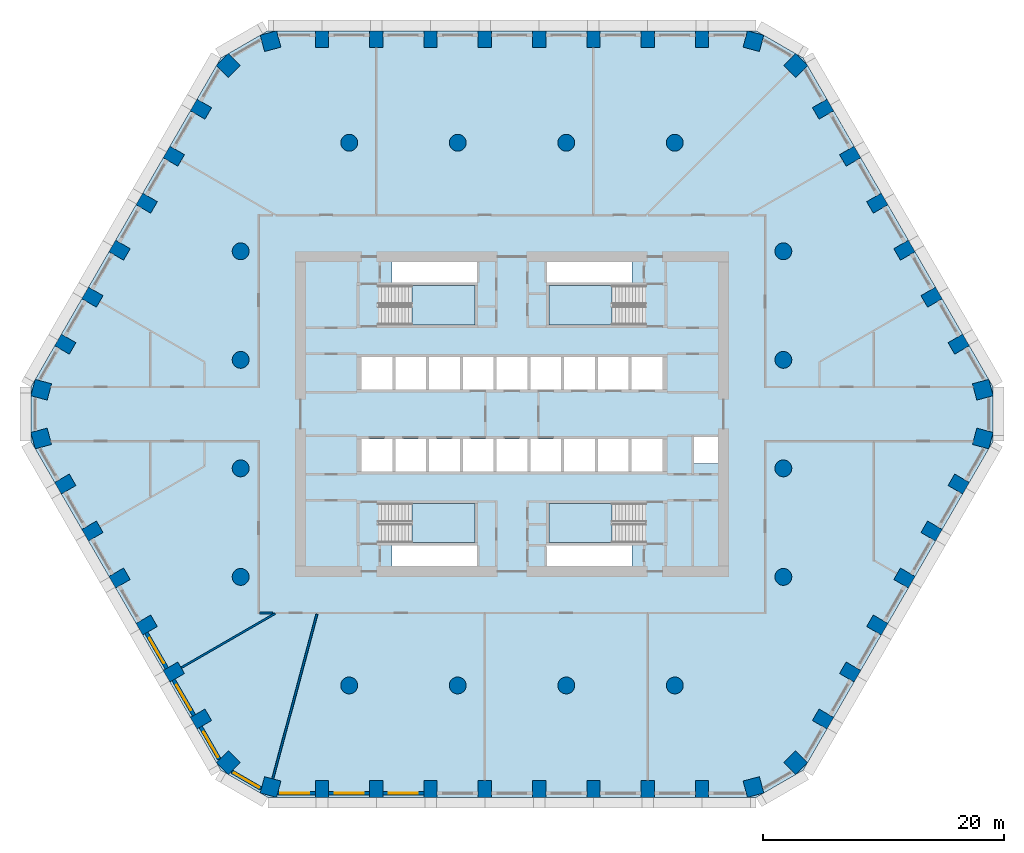
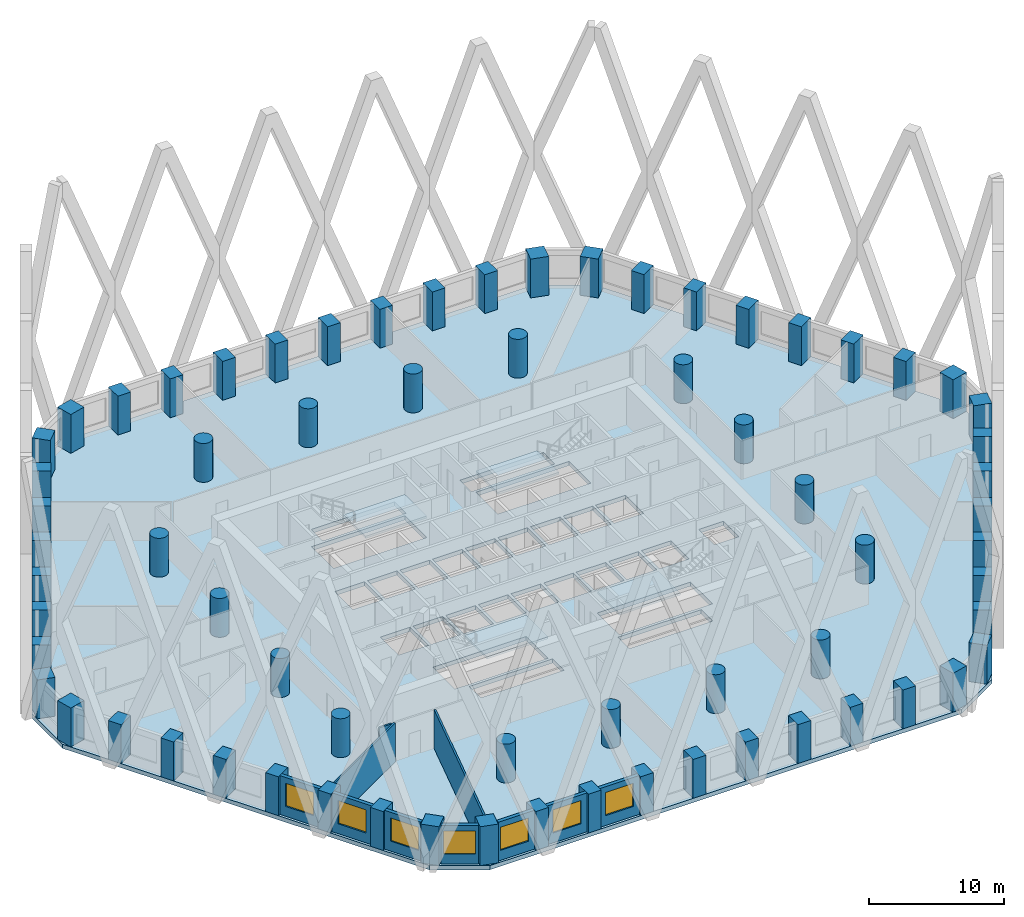
# One storey, part 1 of 18: 68 columns, 10 walls, 7 windows, 5 slabs, 7 openings, 4 elements without a shape of their own.
"""IFC4 building model written with IfcOpenShell, lengths in metres."""

from ifc_helpers import new_model, si_unit, direction, frame, frame_2d, origin, origin_2d, place, context, subcontext, project, spatial, polyline, rectangle, circle, outline, extrude, material, layer, layer_set, material_profile, profile_set, type_object, element, fill, aggregate, save


model = new_model("IFC4")

# Units and contexts
model_context = context("Model", 3, precision=1e-05, world=origin(), true_north=direction((0.0, 1.0)))
body_context = subcontext(model_context, "Body", "Model", "MODEL_VIEW")
ifc_project = project(units=[si_unit("LENGTHUNIT", "METRE"), si_unit("AREAUNIT", "SQUARE_METRE"), si_unit("VOLUMEUNIT", "CUBIC_METRE"), si_unit("PLANEANGLEUNIT", "RADIAN"), si_unit("MASSUNIT", "GRAM", prefix="KILO")], contexts=[model_context])

# Site, building, storey
site_placement = place(None, origin())
site = spatial("IfcSite", under=ifc_project, at=site_placement, CompositionType="ELEMENT")
building_placement = place(site_placement, origin())
building = spatial("IfcBuilding", under=site, at=building_placement, Name="Dhurran Vertical Campus", CompositionType="ELEMENT")
storey_placement = place(building_placement, frame((0.0, 0.0, 30.0)))
storey = spatial("IfcBuildingStorey", under=building, at=storey_placement, Name="L06", CompositionType="ELEMENT", Elevation=30.0)

# Columns
ifc_material_1 = material(Name="Concrete C70/85", Category="concrete")
ifc_material_profile_1 = material_profile(ifc_material_1, rectangle(XDim=1.10009765625, YDim=1.39990234375, at=origin_2d()), Name="RC 1100x1400")
ifc_profile_set_1 = profile_set([ifc_material_profile_1], Name="Concrete C70/85")
column_type_1 = type_object("IfcColumnType", Name="FR COL RC 1100x1400 C70/85", PredefinedType="COLUMN", material=ifc_profile_set_1)
for number, where, z_axis, x_axis, name in (
    (1, (-15.75, -31.079833984375, 0.0), (0.0, 0.0, 1.0), (1.0, 0.0, 0.0), "Perimeter pier PP1.01"),
    (2, (-11.25, -31.079833984375, 0.0), (0.0, 0.0, 1.0), (1.0, 0.0, 0.0), "Perimeter pier PP1.02"),
    (3, (-6.75, -31.079833984375, 0.0), (0.0, 0.0, 1.0), (1.0, 0.0, 0.0), "Perimeter pier PP1.03"),
    (4, (-2.25, -31.079833984375, 0.0), (0.0, 0.0, 1.0), (1.0, 0.0, 0.0), "Perimeter pier PP1.04"),
    (5, (2.25, -31.079833984375, 0.0), (0.0, 0.0, 1.0), (1.0, 0.0, 0.0), "Perimeter pier PP1.05"),
    (6, (6.75, -31.079833984375, 0.0), (0.0, 0.0, 1.0), (1.0, 0.0, 0.0), "Perimeter pier PP1.06"),
    (7, (11.25, -31.079833984375, 0.0), (0.0, 0.0, 1.0), (1.0, 0.0, 0.0), "Perimeter pier PP1.07"),
    (8, (15.75, -31.079833984375, 0.0), (0.0, 0.0, 1.0), (1.0, 0.0, 0.0), "Perimeter pier PP1.08"),
    (9, (25.791015625, -25.28271484375, 0.0), (0.0, 0.0, 1.0), (0.5, 0.866025403784, 0.0), "Perimeter pier PP1.11"),
    (10, (28.041015625, -21.385498046875, 0.0), (0.0, 0.0, 1.0), (0.5, 0.866025403784, 0.0), "Perimeter pier PP1.12"),
    (11, (30.291015625, -17.488525390625, 0.0), (0.0, 0.0, 1.0), (0.5, 0.866025403784, 0.0), "Perimeter pier PP1.13"),
    (12, (32.541015625, -13.59130859375, 0.0), (0.0, 0.0, 1.0), (0.5, 0.866025403784, 0.0), "Perimeter pier PP1.14"),
    (13, (34.791015625, -9.694091796875, 0.0), (0.0, 0.0, 1.0), (0.5, 0.866025403784, 0.0), "Perimeter pier PP1.15"),
    (14, (37.041015625, -5.797119140625, 0.0), (0.0, 0.0, 1.0), (0.5, 0.866025403784, 0.0), "Perimeter pier PP1.16"),
    (15, (37.041015625, 5.797119140625, 0.0), (0.0, 0.0, 1.0), (-0.5, 0.866025403784, 0.0), "Perimeter pier PP1.19"),
    (16, (34.791015625, 9.694091796875, 0.0), (0.0, 0.0, 1.0), (-0.5, 0.866025403784, 0.0), "Perimeter pier PP1.20"),
    (17, (32.541015625, 13.59130859375, 0.0), (0.0, 0.0, 1.0), (-0.5, 0.866025403784, 0.0), "Perimeter pier PP1.21"),
    (18, (30.291015625, 17.488525390625, 0.0), (0.0, 0.0, 1.0), (-0.5, 0.866025403784, 0.0), "Perimeter pier PP1.22"),
    (19, (28.041015625, 21.385498046875, 0.0), (0.0, 0.0, 1.0), (-0.5, 0.866025403784, 0.0), "Perimeter pier PP1.23"),
    (20, (25.791015625, 25.28271484375, 0.0), (0.0, 0.0, 1.0), (-0.5, 0.866025403784, 0.0), "Perimeter pier PP1.24"),
    (21, (15.75, 31.079833984375, 0.0), (0.0, 0.0, 1.0), (-1.0, 0.0, 0.0), "Perimeter pier PP1.27"),
    (22, (11.25, 31.079833984375, 0.0), (0.0, 0.0, 1.0), (-1.0, 0.0, 0.0), "Perimeter pier PP1.28"),
    (23, (6.75, 31.079833984375, 0.0), (0.0, 0.0, 1.0), (-1.0, 0.0, 0.0), "Perimeter pier PP1.29"),
    (24, (2.25, 31.079833984375, 0.0), (0.0, 0.0, 1.0), (-1.0, 0.0, 0.0), "Perimeter pier PP1.30"),
    (25, (-2.25, 31.079833984375, 0.0), (0.0, 0.0, 1.0), (-1.0, 0.0, 0.0), "Perimeter pier PP1.31"),
    (26, (-6.75, 31.079833984375, 0.0), (0.0, 0.0, 1.0), (-1.0, 0.0, 0.0), "Perimeter pier PP1.32"),
    (27, (-11.25, 31.079833984375, 0.0), (0.0, 0.0, 1.0), (-1.0, 0.0, 0.0), "Perimeter pier PP1.33"),
    (28, (-15.75, 31.079833984375, 0.0), (0.0, 0.0, 1.0), (-1.0, 0.0, 0.0), "Perimeter pier PP1.34"),
    (29, (-25.791015625, 25.28271484375, 0.0), (0.0, 0.0, 1.0), (-0.5, -0.866025403784, 0.0), "Perimeter pier PP1.37"),
    (30, (-28.041015625, 21.385498046875, 0.0), (0.0, 0.0, 1.0), (-0.5, -0.866025403784, 0.0), "Perimeter pier PP1.38"),
    (31, (-30.291015625, 17.488525390625, 0.0), (0.0, 0.0, 1.0), (-0.5, -0.866025403784, 0.0), "Perimeter pier PP1.39"),
    (32, (-32.541015625, 13.59130859375, 0.0), (0.0, 0.0, 1.0), (-0.5, -0.866025403784, 0.0), "Perimeter pier PP1.40"),
    (33, (-34.791015625, 9.694091796875, 0.0), (0.0, 0.0, 1.0), (-0.5, -0.866025403784, 0.0), "Perimeter pier PP1.41"),
    (34, (-37.041015625, 5.797119140625, 0.0), (0.0, 0.0, 1.0), (-0.5, -0.866025403784, 0.0), "Perimeter pier PP1.42"),
    (35, (-37.041015625, -5.797119140625, 0.0), (0.0, 0.0, 1.0), (0.5, -0.866025403784, 0.0), "Perimeter pier PP1.45"),
    (36, (-34.791015625, -9.694091796875, 0.0), (0.0, 0.0, 1.0), (0.5, -0.866025403784, 0.0), "Perimeter pier PP1.46"),
    (37, (-32.541015625, -13.59130859375, 0.0), (0.0, 0.0, 1.0), (0.5, -0.866025403784, 0.0), "Perimeter pier PP1.47"),
    (38, (-30.291015625, -17.488525390625, 0.0), (0.0, 0.0, 1.0), (0.5, -0.866025403784, 0.0), "Perimeter pier PP1.48"),
    (39, (-28.041015625, -21.385498046875, 0.0), (0.0, 0.0, 1.0), (0.5, -0.866025403784, 0.0), "Perimeter pier PP1.49"),
    (40, (-25.791015625, -25.28271484375, 0.0), (0.0, 0.0, 1.0), (0.5, -0.866025403784, 0.0), "Perimeter pier PP1.50"),
):
    element("IfcColumn", number, at=place(storey_placement, frame(where, z_axis=z_axis, x_axis=x_axis)), inside=storey, type_object=column_type_1, Name=name, PredefinedType="COLUMN", context=body_context, shape_type="SweptSolid", body=[
        extrude(rectangle(XDim=1.10009765625, YDim=1.39990234375, at=origin_2d()), origin(), (0.0, 0.0, 1.0), 3.52490234375),
    ])
ifc_material_2 = material(Name="Concrete C70/85", Category="concrete")
ifc_material_profile_2 = material_profile(ifc_material_2, rectangle(XDim=1.39990234375, YDim=1.39990234375, at=origin_2d()), Name="RC 1400x1400")
ifc_profile_set_2 = profile_set([ifc_material_profile_2], Name="Concrete C70/85")
column_type_2 = type_object("IfcColumnType", Name="FR COL RC 1400x1400 C70/85", PredefinedType="COLUMN", material=ifc_profile_set_2)
for number, where, z_axis, x_axis, name in (
    (41, (-20.020263671875, -30.922607421875, 0.0), (0.0, 0.0, 1.0), (0.965925826289, -0.258819045103, 0.0), "Perimeter pier PP1.00"),
    (42, (20.020263671875, -30.922607421875, 0.0), (0.0, 0.0, 1.0), (0.965925826289, 0.258819045103, 0.0), "Perimeter pier PP1.09"),
    (43, (23.51953125, -28.902099609375, 0.0), (0.0, 0.0, 1.0), (0.707106781187, 0.707106781187, 0.0), "Perimeter pier PP1.10"),
    (44, (39.039794921875, -2.020263671875, 0.0), (0.0, 0.0, 1.0), (0.258819045103, 0.965925826289, 0.0), "Perimeter pier PP1.17"),
    (45, (39.039794921875, 2.020263671875, 0.0), (0.0, 0.0, 1.0), (-0.258819045103, 0.965925826289, 0.0), "Perimeter pier PP1.18"),
    (46, (23.51953125, 28.902099609375, 0.0), (0.0, 0.0, 1.0), (-0.707106781187, 0.707106781187, 0.0), "Perimeter pier PP1.25"),
    (47, (20.020263671875, 30.922607421875, 0.0), (0.0, 0.0, 1.0), (-0.965925826289, 0.258819045103, 0.0), "Perimeter pier PP1.26"),
    (48, (-20.020263671875, 30.922607421875, 0.0), (0.0, 0.0, 1.0), (-0.965925826289, -0.258819045103, 0.0), "Perimeter pier PP1.35"),
    (49, (-23.51953125, 28.902099609375, 0.0), (0.0, 0.0, 1.0), (-0.707106781187, -0.707106781187, 0.0), "Perimeter pier PP1.36"),
    (50, (-39.039794921875, 2.020263671875, 0.0), (0.0, 0.0, 1.0), (-0.258819045103, -0.965925826289, 0.0), "Perimeter pier PP1.43"),
    (51, (-39.039794921875, -2.020263671875, 0.0), (0.0, 0.0, 1.0), (0.258819045103, -0.965925826289, 0.0), "Perimeter pier PP1.44"),
    (52, (-23.51953125, -28.902099609375, 0.0), (0.0, 0.0, 1.0), (0.707106781187, -0.707106781187, 0.0), "Perimeter pier PP1.51"),
):
    element("IfcColumn", number, at=place(storey_placement, frame(where, z_axis=z_axis, x_axis=x_axis)), inside=storey, type_object=column_type_2, Name=name, PredefinedType="COLUMN", context=body_context, shape_type="SweptSolid", body=[
        extrude(rectangle(XDim=1.39990234375, YDim=1.39990234375, at=origin_2d()), origin(), (0.0, 0.0, 1.0), 3.52490234375),
    ])
ifc_material_3 = material(Name="Concrete C70/85", Category="concrete")
ifc_material_profile_3 = material_profile(ifc_material_3, circle(Radius=0.699951171875, at=origin_2d()), Name="RCC D1400")
ifc_profile_set_3 = profile_set([ifc_material_profile_3], Name="Concrete C70/85")
column_type_3 = type_object("IfcColumnType", Name="FR COL RCC D1400 C70/85", PredefinedType="COLUMN", material=ifc_profile_set_3)
for number, where, z_axis, x_axis, name in (
    (53, (-22.5, -13.5, 0.0), (0.0, 0.0, 1.0), (1.0, 0.0, 0.0), "Inner column IC1-D4"),
    (54, (-22.5, -4.5, 0.0), (0.0, 0.0, 1.0), (1.0, 0.0, 0.0), "Inner column IC1-D5"),
    (55, (-22.5, 4.5, 0.0), (0.0, 0.0, 1.0), (1.0, 0.0, 0.0), "Inner column IC1-D6"),
    (56, (-22.5, 13.5, 0.0), (0.0, 0.0, 1.0), (1.0, 0.0, 0.0), "Inner column IC1-D7"),
    (57, (-13.5, -22.5, 0.0), (0.0, 0.0, 1.0), (1.0, 0.0, 0.0), "Inner column IC1-E3"),
    (58, (-13.5, 22.5, 0.0), (0.0, 0.0, 1.0), (1.0, 0.0, 0.0), "Inner column IC1-E8"),
    (59, (-4.5, -22.5, 0.0), (0.0, 0.0, 1.0), (1.0, 0.0, 0.0), "Inner column IC1-F3"),
    (60, (-4.5, 22.5, 0.0), (0.0, 0.0, 1.0), (1.0, 0.0, 0.0), "Inner column IC1-F8"),
    (61, (4.5, -22.5, 0.0), (0.0, 0.0, 1.0), (1.0, 0.0, 0.0), "Inner column IC1-G3"),
    (62, (4.5, 22.5, 0.0), (0.0, 0.0, 1.0), (1.0, 0.0, 0.0), "Inner column IC1-G8"),
    (63, (13.5, -22.5, 0.0), (0.0, 0.0, 1.0), (1.0, 0.0, 0.0), "Inner column IC1-H3"),
    (64, (13.5, 22.5, 0.0), (0.0, 0.0, 1.0), (1.0, 0.0, 0.0), "Inner column IC1-H8"),
    (65, (22.5, -13.5, 0.0), (0.0, 0.0, 1.0), (1.0, 0.0, 0.0), "Inner column IC1-J4"),
    (66, (22.5, -4.5, 0.0), (0.0, 0.0, 1.0), (1.0, 0.0, 0.0), "Inner column IC1-J5"),
    (67, (22.5, 4.5, 0.0), (0.0, 0.0, 1.0), (1.0, 0.0, 0.0), "Inner column IC1-J6"),
    (68, (22.5, 13.5, 0.0), (0.0, 0.0, 1.0), (1.0, 0.0, 0.0), "Inner column IC1-J7"),
):
    element("IfcColumn", number, at=place(storey_placement, frame(where, z_axis=z_axis, x_axis=x_axis)), inside=storey, type_object=column_type_3, Name=name, PredefinedType="COLUMN", context=body_context, shape_type="SweptSolid", body=[
        extrude(circle(Radius=0.699951171875, at=origin_2d()), origin(), (0.0, 0.0, 1.0), 3.52490234375),
    ])

# Slab
ifc_material_4 = material(Name="Concrete C40/50", Category="concrete")
ifc_layer_1 = layer(ifc_material_4, 0.375)
ifc_layer_set_1 = layer_set([ifc_layer_1], Name="Concrete C40/50")
slab_type_1 = type_object("IfcSlabType", Name="FR POST-TENSIONED FLAT SLAB 375", PredefinedType="FLOOR", material=ifc_layer_set_1)
slab_1_placement = place(storey_placement, frame((0.0, 0.0, -0.375)))
element("IfcSlab", 69, at=slab_1_placement, inside=storey, type_object=slab_type_1, Name="Floor slab L06", PredefinedType="FLOOR", context=body_context, shape_type="SweptSolid", body=[
    extrude(outline(polyline([(-20.25, -31.77978515625), (20.25, -31.77978515625), (24.147216796875, -29.52978515625), (39.897216796875, -2.25), (39.897216796875, 2.25), (24.147216796875, 29.52978515625), (20.25, 31.77978515625), (-20.25, 31.77978515625), (-24.147216796875, 29.52978515625), (-39.897216796875, 2.25), (-39.897216796875, -2.25), (-24.147216796875, -29.52978515625), (-20.25, -31.77978515625)]), holes=[polyline([(-12.47509765625, 2.050048828125), (-9.925048828125, 2.050048828125), (-9.925048828125, 4.75), (-12.47509765625, 4.75), (-12.47509765625, 2.050048828125)]), polyline([(-9.675048828125, 2.050048828125), (-7.125, 2.050048828125), (-7.125, 4.75), (-9.675048828125, 4.75), (-9.675048828125, 2.050048828125)]), polyline([(-6.875, 2.050048828125), (-4.324951171875, 2.050048828125), (-4.324951171875, 4.75), (-6.875, 4.75), (-6.875, 2.050048828125)]), polyline([(-1.27490234375, 2.050048828125), (1.27490234375, 2.050048828125), (1.27490234375, 4.75), (-1.27490234375, 4.75), (-1.27490234375, 2.050048828125)]), polyline([(9.925048828125, 2.050048828125), (12.47509765625, 2.050048828125), (12.47509765625, 4.75), (9.925048828125, 4.75), (9.925048828125, 2.050048828125)]), polyline([(-1.27490234375, -4.75), (1.27490234375, -4.75), (1.27490234375, -2.050048828125), (-1.27490234375, -2.050048828125), (-1.27490234375, -4.75)]), polyline([(1.52490234375, -4.75), (4.074951171875, -4.75), (4.074951171875, -2.050048828125), (1.52490234375, -2.050048828125), (1.52490234375, -4.75)]), polyline([(4.324951171875, -4.75), (6.875, -4.75), (6.875, -2.050048828125), (4.324951171875, -2.050048828125), (4.324951171875, -4.75)]), polyline([(7.125, -4.75), (9.675048828125, -4.75), (9.675048828125, -2.050048828125), (7.125, -2.050048828125), (7.125, -4.75)]), polyline([(9.925048828125, -4.75), (12.47509765625, -4.75), (12.47509765625, -2.050048828125), (9.925048828125, -2.050048828125), (9.925048828125, -4.75)]), polyline([(-4.074951171875, 2.050048828125), (-1.52490234375, 2.050048828125), (-1.52490234375, 4.75), (-4.074951171875, 4.75), (-4.074951171875, 2.050048828125)]), polyline([(1.52490234375, 2.050048828125), (4.074951171875, 2.050048828125), (4.074951171875, 4.75), (1.52490234375, 4.75), (1.52490234375, 2.050048828125)]), polyline([(4.324951171875, 2.050048828125), (6.875, 2.050048828125), (6.875, 4.75), (4.324951171875, 4.75), (4.324951171875, 2.050048828125)]), polyline([(7.125, 2.050048828125), (9.675048828125, 2.050048828125), (9.675048828125, 4.75), (7.125, 4.75), (7.125, 2.050048828125)]), polyline([(-12.47509765625, -4.75), (-9.925048828125, -4.75), (-9.925048828125, -2.050048828125), (-12.47509765625, -2.050048828125), (-12.47509765625, -4.75)]), polyline([(-9.675048828125, -4.75), (-7.125, -4.75), (-7.125, -2.050048828125), (-9.675048828125, -2.050048828125), (-9.675048828125, -4.75)]), polyline([(-6.875, -4.75), (-4.324951171875, -4.75), (-4.324951171875, -2.050048828125), (-6.875, -2.050048828125), (-6.875, -4.75)]), polyline([(-4.074951171875, -4.75), (-1.52490234375, -4.75), (-1.52490234375, -2.050048828125), (-4.074951171875, -2.050048828125), (-4.074951171875, -4.75)]), polyline([(-11.050048828125, 7.39990234375), (-3.050048828125, 7.39990234375), (-3.050048828125, 10.64990234375), (-11.050048828125, 10.64990234375), (-11.050048828125, 7.39990234375)]), polyline([(3.050048828125, 7.39990234375), (11.050048828125, 7.39990234375), (11.050048828125, 10.64990234375), (3.050048828125, 10.64990234375), (3.050048828125, 7.39990234375)]), polyline([(-11.050048828125, -10.64990234375), (-3.050048828125, -10.64990234375), (-3.050048828125, -7.39990234375), (-11.050048828125, -7.39990234375), (-11.050048828125, -10.64990234375)]), polyline([(3.050048828125, -10.64990234375), (11.050048828125, -10.64990234375), (11.050048828125, -7.39990234375), (3.050048828125, -7.39990234375), (3.050048828125, -10.64990234375)]), polyline([(-9.949951171875, 10.89990234375), (-9.949951171875, 12.60009765625), (-2.800048828125, 12.60009765625), (-2.800048828125, 10.89990234375), (-9.949951171875, 10.89990234375)]), polyline([(9.949951171875, 12.60009765625), (9.949951171875, 10.89990234375), (2.800048828125, 10.89990234375), (2.800048828125, 12.60009765625), (9.949951171875, 12.60009765625)]), polyline([(-9.949951171875, -12.60009765625), (-9.949951171875, -10.89990234375), (-2.800048828125, -10.89990234375), (-2.800048828125, -12.60009765625), (-9.949951171875, -12.60009765625)]), polyline([(9.949951171875, -10.89990234375), (9.949951171875, -12.60009765625), (2.800048828125, -12.60009765625), (2.800048828125, -10.89990234375), (9.949951171875, -10.89990234375)]), polyline([(17.10009765625, -4.10009765625), (15.0, -4.10009765625), (15.0, -1.800048828125), (17.10009765625, -1.800048828125), (17.10009765625, -4.10009765625)])]), origin(), (0.0, 0.0, 1.0), 0.375),
])

# Stair, slab
ifc_material_5 = material(Name="Concrete C40/50", Category="concrete")
stair_type = type_object("IfcStairType", Name="co-ST-CORE", PredefinedType="HALF_TURN_STAIR", material=ifc_material_5)
stair_1_placement = place(storey_placement, origin())
stair_1 = element("IfcStair", 70, at=stair_1_placement, inside=storey, type_object=stair_type, Name="L06 Protected exit stair ST1", PredefinedType="HALF_TURN_STAIR")
ifc_material_6 = material(Name="Concrete C40/50", Category="concrete")
ifc_layer_2 = layer(ifc_material_6, 0.199951171875)
ifc_layer_set_2 = layer_set([ifc_layer_2], Name="Concrete C40/50")
slab_type_2 = type_object("IfcSlabType", Name="co-SL-LANDING", PredefinedType="LANDING", material=ifc_layer_set_2)
slab_2_placement = place(storey_placement, frame((0.0, 0.0, 1.75)))
slab_2 = element("IfcSlab", 71, at=slab_2_placement, type_object=slab_type_2, Name="ST1 landing 1", PredefinedType="LANDING", context=body_context, shape_type="SweptSolid", body=[
    extrude(outline(polyline([(-8.300048828125, 7.39990234375), (-3.050048828125, 7.39990234375), (-3.050048828125, 10.64990234375), (-8.300048828125, 10.64990234375), (-8.300048828125, 7.39990234375)])), origin(), (0.0, 0.0, 1.0), 0.199951171875),
])
aggregate(stair_1, [slab_2])

stair_2_placement = place(storey_placement, origin())
stair_2 = element("IfcStair", 72, at=stair_2_placement, inside=storey, type_object=stair_type, Name="L06 Protected exit stair ST2", PredefinedType="HALF_TURN_STAIR")
slab_3_placement = place(storey_placement, frame((0.0, 0.0, 1.75)))
slab_3 = element("IfcSlab", 73, at=slab_3_placement, type_object=slab_type_2, Name="ST2 landing 1", PredefinedType="LANDING", context=body_context, shape_type="SweptSolid", body=[
    extrude(outline(polyline([(8.300048828125, 10.64990234375), (3.050048828125, 10.64990234375), (3.050048828125, 7.39990234375), (8.300048828125, 7.39990234375), (8.300048828125, 10.64990234375)])), origin(), (0.0, 0.0, 1.0), 0.199951171875),
])
aggregate(stair_2, [slab_3])

stair_3_placement = place(storey_placement, origin())
stair_3 = element("IfcStair", 74, at=stair_3_placement, inside=storey, type_object=stair_type, Name="L06 Protected exit stair ST3", PredefinedType="HALF_TURN_STAIR")
slab_4_placement = place(storey_placement, frame((0.0, 0.0, 1.75)))
slab_4 = element("IfcSlab", 75, at=slab_4_placement, type_object=slab_type_2, Name="ST3 landing 1", PredefinedType="LANDING", context=body_context, shape_type="SweptSolid", body=[
    extrude(outline(polyline([(-8.300048828125, -10.64990234375), (-3.050048828125, -10.64990234375), (-3.050048828125, -7.39990234375), (-8.300048828125, -7.39990234375), (-8.300048828125, -10.64990234375)])), origin(), (0.0, 0.0, 1.0), 0.199951171875),
])
aggregate(stair_3, [slab_4])

stair_4_placement = place(storey_placement, origin())
stair_4 = element("IfcStair", 76, at=stair_4_placement, inside=storey, type_object=stair_type, Name="L06 Protected exit stair ST4", PredefinedType="HALF_TURN_STAIR")
slab_5_placement = place(storey_placement, frame((0.0, 0.0, 1.75)))
slab_5 = element("IfcSlab", 77, at=slab_5_placement, type_object=slab_type_2, Name="ST4 landing 1", PredefinedType="LANDING", context=body_context, shape_type="SweptSolid", body=[
    extrude(outline(polyline([(8.300048828125, -7.39990234375), (3.050048828125, -7.39990234375), (3.050048828125, -10.64990234375), (8.300048828125, -10.64990234375), (8.300048828125, -7.39990234375)])), origin(), (0.0, 0.0, 1.0), 0.199951171875),
])
aggregate(stair_4, [slab_5])

# Wall, opening, window
ifc_material_7 = material(Name="Precast concrete C50/60", Category="concrete")
ifc_layer_3 = layer(ifc_material_7, 0.300048828125)
ifc_layer_set_3 = layer_set([ifc_layer_3], Name="Precast concrete C50/60")
wall_type_1 = type_object("IfcWallType", Name="Precast spandrel wall 300", PredefinedType="SOLIDWALL", material=ifc_layer_set_3)
wall_1_placement = place(storey_placement, frame((-19.39111328125, -31.4296875, 0.0), z_axis=(0.0, 0.0, 1.0), x_axis=(1.0, 0.0, 0.0)))
wall_1 = element("IfcWall", 78, at=wall_1_placement, inside=storey, type_object=wall_type_1, Name="EW1 L06.00", PredefinedType="SOLIDWALL", context=body_context, shape_type="SweptSolid", body=[
    extrude(rectangle(XDim=3.090576171875, YDim=0.300048828125, at=frame_2d((1.54541015625, 0.0))), origin(), (0.0, 0.0, 1.0), 3.52490234375),
])
opening_1_placement = place(wall_1_placement, frame((0.191162109375, 0.0, 0.89990234375)))
opening_1 = element("IfcOpeningElement", 79, at=opening_1_placement, cuts=wall_1, Name="Opening WT1", PredefinedType="OPENING", context=body_context, shape_type="SweptSolid", body=[
    extrude(rectangle(XDim=2.39990234375, YDim=2.10009765625, at=frame_2d((1.199951171875, 1.050048828125))), frame((0.0, 0.159912109375, 0.0), z_axis=(0.0, -1.0, 0.0), x_axis=(1.0, 0.0, 0.0)), (0.0, 0.0, 1.0), 0.320068359375),
])
ifc_material_8 = material(Name="Aluminium frame with solar-control glass", Category="aluminium")
window_type = type_object("IfcWindowType", Name="Punched window 2400 x 2100", PartitioningType="SINGLE_PANEL", PredefinedType="WINDOW", material=ifc_material_8)
window_1_placement = place(opening_1_placement, origin())
window_1 = element("IfcWindow", 80, at=window_1_placement, inside=storey, type_object=window_type, Name="WT1 L06.00", OverallHeight=2.10009765625, OverallWidth=2.39990234375, PartitioningType="SINGLE_PANEL", PredefinedType="WINDOW", context=body_context, shape_type="SweptSolid", body=[
    extrude(rectangle(XDim=2.39990234375, YDim=2.10009765625, at=frame_2d((1.199951171875, 1.050048828125))), frame((0.0, 0.030029296875, 0.0), z_axis=(0.0, -1.0, 0.0), x_axis=(1.0, 0.0, 0.0)), (0.0, 0.0, 1.0), 0.06005859375),
])
fill(opening_1, window_1)

wall_2_placement = place(storey_placement, frame((-15.199462890625, -31.4296875, 0.0), z_axis=(0.0, 0.0, 1.0), x_axis=(1.0, 0.0, 0.0)))
wall_2 = element("IfcWall", 81, at=wall_2_placement, inside=storey, type_object=wall_type_1, Name="EW1 L06.01", PredefinedType="SOLIDWALL", context=body_context, shape_type="SweptSolid", body=[
    extrude(rectangle(XDim=3.39892578125, YDim=0.300048828125, at=frame_2d((1.699462890625, 0.0))), origin(), (0.0, 0.0, 1.0), 3.52490234375),
])
opening_2_placement = place(wall_2_placement, frame((0.49951171875, 0.0, 0.89990234375)))
opening_2 = element("IfcOpeningElement", 82, at=opening_2_placement, cuts=wall_2, Name="Opening WT1", PredefinedType="OPENING", context=body_context, shape_type="SweptSolid", body=[
    extrude(rectangle(XDim=2.39990234375, YDim=2.10009765625, at=frame_2d((1.199951171875, 1.050048828125))), frame((0.0, 0.159912109375, 0.0), z_axis=(0.0, -1.0, 0.0), x_axis=(1.0, 0.0, 0.0)), (0.0, 0.0, 1.0), 0.320068359375),
])
window_2_placement = place(opening_2_placement, origin())
window_2 = element("IfcWindow", 83, at=window_2_placement, inside=storey, type_object=window_type, Name="WT1 L06.01", OverallHeight=2.10009765625, OverallWidth=2.39990234375, PartitioningType="SINGLE_PANEL", PredefinedType="WINDOW", context=body_context, shape_type="SweptSolid", body=[
    extrude(rectangle(XDim=2.39990234375, YDim=2.10009765625, at=frame_2d((1.199951171875, 1.050048828125))), frame((0.0, 0.030029296875, 0.0), z_axis=(0.0, -1.0, 0.0), x_axis=(1.0, 0.0, 0.0)), (0.0, 0.0, 1.0), 0.06005859375),
])
fill(opening_2, window_2)

wall_3_placement = place(storey_placement, frame((-10.699462890625, -31.4296875, 0.0), z_axis=(0.0, 0.0, 1.0), x_axis=(1.0, 0.0, 0.0)))
wall_3 = element("IfcWall", 84, at=wall_3_placement, inside=storey, type_object=wall_type_1, Name="EW1 L06.02", PredefinedType="SOLIDWALL", context=body_context, shape_type="SweptSolid", body=[
    extrude(rectangle(XDim=3.39892578125, YDim=0.300048828125, at=frame_2d((1.699462890625, 0.0))), origin(), (0.0, 0.0, 1.0), 3.52490234375),
])
opening_3_placement = place(wall_3_placement, frame((0.49951171875, 0.0, 0.89990234375)))
opening_3 = element("IfcOpeningElement", 85, at=opening_3_placement, cuts=wall_3, Name="Opening WT1", PredefinedType="OPENING", context=body_context, shape_type="SweptSolid", body=[
    extrude(rectangle(XDim=2.39990234375, YDim=2.10009765625, at=frame_2d((1.199951171875, 1.050048828125))), frame((0.0, 0.159912109375, 0.0), z_axis=(0.0, -1.0, 0.0), x_axis=(1.0, 0.0, 0.0)), (0.0, 0.0, 1.0), 0.320068359375),
])
window_3_placement = place(opening_3_placement, origin())
window_3 = element("IfcWindow", 86, at=window_3_placement, inside=storey, type_object=window_type, Name="WT1 L06.02", OverallHeight=2.10009765625, OverallWidth=2.39990234375, PartitioningType="SINGLE_PANEL", PredefinedType="WINDOW", context=body_context, shape_type="SweptSolid", body=[
    extrude(rectangle(XDim=2.39990234375, YDim=2.10009765625, at=frame_2d((1.199951171875, 1.050048828125))), frame((0.0, 0.030029296875, 0.0), z_axis=(0.0, -1.0, 0.0), x_axis=(1.0, 0.0, 0.0)), (0.0, 0.0, 1.0), 0.06005859375),
])
fill(opening_3, window_3)

wall_4_placement = place(storey_placement, frame((-30.31884765625, -18.14013671875, 0.0), z_axis=(0.0, 0.0, 1.0), x_axis=(0.499993955907, -0.866028893315, 0.0)))
wall_4 = element("IfcWall", 87, at=wall_4_placement, inside=storey, type_object=wall_type_1, Name="EW1 L06.48", PredefinedType="SOLIDWALL", context=body_context, shape_type="SweptSolid", body=[
    extrude(rectangle(XDim=3.39892578125, YDim=0.300048828125, at=frame_2d((1.699462890625, 0.0))), origin(), (0.0, 0.0, 1.0), 3.52490234375),
])
opening_4_placement = place(wall_4_placement, frame((0.49951171875, 0.0, 0.89990234375)))
opening_4 = element("IfcOpeningElement", 88, at=opening_4_placement, cuts=wall_4, Name="Opening WT1", PredefinedType="OPENING", context=body_context, shape_type="SweptSolid", body=[
    extrude(rectangle(XDim=2.39990234375, YDim=2.10009765625, at=frame_2d((1.199951171875, 1.050048828125))), frame((0.0, 0.159912109375, 0.0), z_axis=(0.0, -1.0, 0.0), x_axis=(1.0, 0.0, 0.0)), (0.0, 0.0, 1.0), 0.320068359375),
])
window_4_placement = place(opening_4_placement, origin())
window_4 = element("IfcWindow", 89, at=window_4_placement, inside=storey, type_object=window_type, Name="WT1 L06.48", OverallHeight=2.10009765625, OverallWidth=2.39990234375, PartitioningType="SINGLE_PANEL", PredefinedType="WINDOW", context=body_context, shape_type="SweptSolid", body=[
    extrude(rectangle(XDim=2.39990234375, YDim=2.10009765625, at=frame_2d((1.199951171875, 1.050048828125))), frame((0.0, 0.030029296875, 0.0), z_axis=(0.0, -1.0, 0.0), x_axis=(1.0, 0.0, 0.0)), (0.0, 0.0, 1.0), 0.06005859375),
])
fill(opening_4, window_4)

wall_5_placement = place(storey_placement, frame((-28.06884765625, -22.037353515625, 0.0), z_axis=(0.0, 0.0, 1.0), x_axis=(0.499993955907, -0.866028893315, 0.0)))
wall_5 = element("IfcWall", 90, at=wall_5_placement, inside=storey, type_object=wall_type_1, Name="EW1 L06.49", PredefinedType="SOLIDWALL", context=body_context, shape_type="SweptSolid", body=[
    extrude(rectangle(XDim=3.39892578125, YDim=0.300048828125, at=frame_2d((1.699462890625, 0.0))), origin(), (0.0, 0.0, 1.0), 3.52490234375),
])
opening_5_placement = place(wall_5_placement, frame((0.49951171875, 0.0, 0.89990234375)))
opening_5 = element("IfcOpeningElement", 91, at=opening_5_placement, cuts=wall_5, Name="Opening WT1", PredefinedType="OPENING", context=body_context, shape_type="SweptSolid", body=[
    extrude(rectangle(XDim=2.39990234375, YDim=2.10009765625, at=frame_2d((1.199951171875, 1.050048828125))), frame((0.0, 0.159912109375, 0.0), z_axis=(0.0, -1.0, 0.0), x_axis=(1.0, 0.0, 0.0)), (0.0, 0.0, 1.0), 0.320068359375),
])
window_5_placement = place(opening_5_placement, origin())
window_5 = element("IfcWindow", 92, at=window_5_placement, inside=storey, type_object=window_type, Name="WT1 L06.49", OverallHeight=2.10009765625, OverallWidth=2.39990234375, PartitioningType="SINGLE_PANEL", PredefinedType="WINDOW", context=body_context, shape_type="SweptSolid", body=[
    extrude(rectangle(XDim=2.39990234375, YDim=2.10009765625, at=frame_2d((1.199951171875, 1.050048828125))), frame((0.0, 0.030029296875, 0.0), z_axis=(0.0, -1.0, 0.0), x_axis=(1.0, 0.0, 0.0)), (0.0, 0.0, 1.0), 0.06005859375),
])
fill(opening_5, window_5)

wall_6_placement = place(storey_placement, frame((-25.81884765625, -25.934326171875, 0.0), z_axis=(0.0, 0.0, 1.0), x_axis=(0.499995950774, -0.866027741594, 0.0)))
wall_6 = element("IfcWall", 93, at=wall_6_placement, inside=storey, type_object=wall_type_1, Name="EW1 L06.50", PredefinedType="SOLIDWALL", context=body_context, shape_type="SweptSolid", body=[
    extrude(rectangle(XDim=3.0908203125, YDim=0.300048828125, at=frame_2d((1.54541015625, 0.0))), origin(), (0.0, 0.0, 1.0), 3.52490234375),
])
opening_6_placement = place(wall_6_placement, frame((0.49951171875, 0.0, 0.89990234375)))
opening_6 = element("IfcOpeningElement", 94, at=opening_6_placement, cuts=wall_6, Name="Opening WT1", PredefinedType="OPENING", context=body_context, shape_type="SweptSolid", body=[
    extrude(rectangle(XDim=2.39990234375, YDim=2.10009765625, at=frame_2d((1.199951171875, 1.050048828125))), frame((0.0, 0.159912109375, 0.0), z_axis=(0.0, -1.0, 0.0), x_axis=(1.0, 0.0, 0.0)), (0.0, 0.0, 1.0), 0.320068359375),
])
window_6_placement = place(opening_6_placement, origin())
window_6 = element("IfcWindow", 95, at=window_6_placement, inside=storey, type_object=window_type, Name="WT1 L06.50", OverallHeight=2.10009765625, OverallWidth=2.39990234375, PartitioningType="SINGLE_PANEL", PredefinedType="WINDOW", context=body_context, shape_type="SweptSolid", body=[
    extrude(rectangle(XDim=2.39990234375, YDim=2.10009765625, at=frame_2d((1.199951171875, 1.050048828125))), frame((0.0, 0.030029296875, 0.0), z_axis=(0.0, -1.0, 0.0), x_axis=(1.0, 0.0, 0.0)), (0.0, 0.0, 1.0), 0.06005859375),
])
fill(opening_6, window_6)

wall_7_placement = place(storey_placement, frame((-23.228271484375, -29.656005859375, 0.0), z_axis=(0.0, 0.0, 1.0), x_axis=(0.866020456713, -0.500008568482, 0.0)))
wall_7 = element("IfcWall", 96, at=wall_7_placement, inside=storey, type_object=wall_type_1, Name="EW1 L06.51", PredefinedType="SOLIDWALL", context=body_context, shape_type="SweptSolid", body=[
    extrude(rectangle(XDim=2.7822265625, YDim=0.300048828125, at=frame_2d((1.39111328125, 0.0))), origin(), (0.0, 0.0, 1.0), 3.52490234375),
])
opening_7_placement = place(wall_7_placement, frame((0.191162109375, 0.0, 0.89990234375)))
opening_7 = element("IfcOpeningElement", 97, at=opening_7_placement, cuts=wall_7, Name="Opening WT1", PredefinedType="OPENING", context=body_context, shape_type="SweptSolid", body=[
    extrude(rectangle(XDim=2.39990234375, YDim=2.10009765625, at=frame_2d((1.199951171875, 1.050048828125))), frame((0.0, 0.159912109375, 0.0), z_axis=(0.0, -1.0, 0.0), x_axis=(1.0, 0.0, 0.0)), (0.0, 0.0, 1.0), 0.320068359375),
])
window_7_placement = place(opening_7_placement, origin())
window_7 = element("IfcWindow", 98, at=window_7_placement, inside=storey, type_object=window_type, Name="WT1 L06.51", OverallHeight=2.10009765625, OverallWidth=2.39990234375, PartitioningType="SINGLE_PANEL", PredefinedType="WINDOW", context=body_context, shape_type="SweptSolid", body=[
    extrude(rectangle(XDim=2.39990234375, YDim=2.10009765625, at=frame_2d((1.199951171875, 1.050048828125))), frame((0.0, 0.030029296875, 0.0), z_axis=(0.0, -1.0, 0.0), x_axis=(1.0, 0.0, 0.0)), (0.0, 0.0, 1.0), 0.06005859375),
])
fill(opening_7, window_7)

# Walls
ifc_material_9 = material(Name="Gypsum board corridor wall on steel studs", Category="steel")
ifc_layer_4 = layer(ifc_material_9, 0.14990234375)
ifc_layer_set_4 = layer_set([ifc_layer_4], Name="Gypsum board corridor wall on steel studs")
wall_type_2 = type_object("IfcWallType", Name="fl-CW-150 corridor wall", PredefinedType="PARTITIONING", material=ifc_layer_set_4)
wall_8_placement = place(storey_placement, frame((-20.925048828125, -16.5, 0.0), z_axis=(0.0, 0.0, 1.0), x_axis=(1.0, 0.0, 0.0)))
element("IfcWall", 99, at=wall_8_placement, inside=storey, type_object=wall_type_2, Name="Partition 06-18", PredefinedType="PARTITIONING", context=body_context, shape_type="SweptSolid", body=[
    extrude(rectangle(XDim=1.071044921875, YDim=0.14990234375, at=frame_2d((0.53564453125, 0.0))), origin(), (0.0, 0.0, 1.0), 3.52490234375),
])
ifc_material_10 = material(Name="Gypsum board partition on steel studs", Category="steel")
ifc_layer_5 = layer(ifc_material_10, 0.14990234375)
ifc_layer_set_5 = layer_set([ifc_layer_5], Name="Gypsum board partition on steel studs")
wall_type_3 = type_object("IfcWallType", Name="fl-PW-150 fixed partition", PredefinedType="PARTITIONING", material=ifc_layer_set_5)
wall_9_placement = place(storey_placement, frame((-19.643798828125, -16.53759765625, 0.0), z_axis=(0.0, 0.0, 1.0), x_axis=(-0.866004853516, -0.500035592419, 0.0)))
element("IfcWall", 100, at=wall_9_placement, inside=storey, type_object=wall_type_3, Name="Partition 06-11", PredefinedType="PARTITIONING", context=body_context, shape_type="SweptSolid", body=[
    extrude(rectangle(XDim=8.975830078125, YDim=0.14990234375, at=frame_2d((4.48779296875, 0.0))), origin(), (0.0, 0.0, 1.0), 3.52490234375),
])
wall_10_placement = place(storey_placement, frame((-16.17529296875, -16.572509765625, 0.0), z_axis=(0.0, 0.0, 1.0), x_axis=(-0.258833057728, -0.965922071508, 0.0)))
element("IfcWall", 101, at=wall_10_placement, inside=storey, type_object=wall_type_3, Name="Partition 06-21", PredefinedType="PARTITIONING", context=body_context, shape_type="SweptSolid", body=[
    extrude(rectangle(XDim=14.13623046875, YDim=0.14990234375, at=frame_2d((7.068115234375, 0.0))), origin(), (0.0, 0.0, 1.0), 3.52490234375),
])

save(model, "model.ifc")
